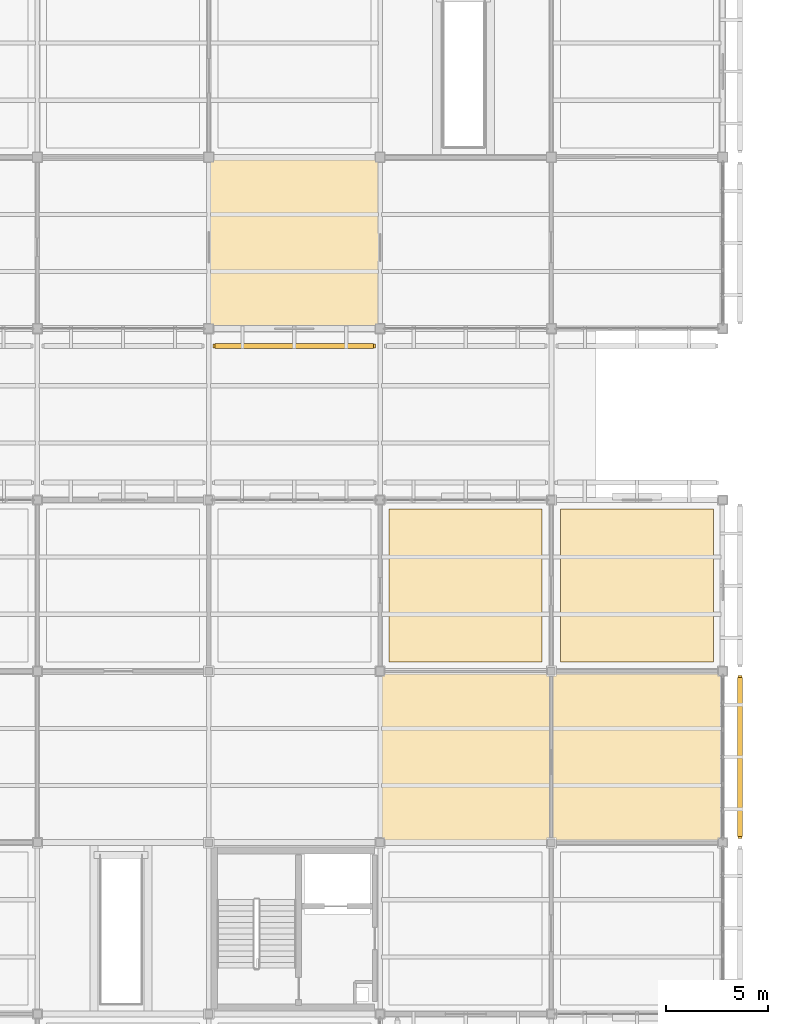
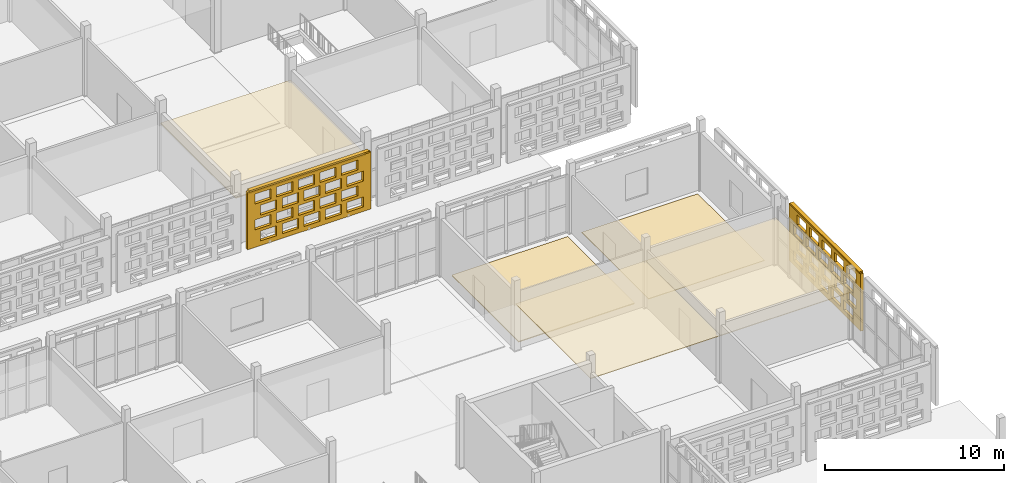
# One storey, part 192 of 203: 7 coverings, 2 shading devices, 40 openings.
"""IFC4 building model written with IfcOpenShell, lengths in metres."""

from ifc_helpers import new_model, si_unit, direction, frame, frame_2d, origin, origin_2d, place, context, subcontext, project, spatial, rectangle, extrude, material, layer, layer_set, type_object, element, save


model = new_model("IFC4")

# Units and contexts
model_context = context("Model", 3, precision=1e-05, world=origin(), true_north=direction((0.0, 1.0)))
body_context = subcontext(model_context, "Body", "Model", "MODEL_VIEW")
ifc_project = project(units=[si_unit("LENGTHUNIT", "METRE"), si_unit("AREAUNIT", "SQUARE_METRE"), si_unit("VOLUMEUNIT", "CUBIC_METRE"), si_unit("PLANEANGLEUNIT", "RADIAN"), si_unit("MASSUNIT", "GRAM", prefix="KILO")], contexts=[model_context])

# Site, building, storey
site_placement = place(None, origin())
site = spatial("IfcSite", under=ifc_project, at=site_placement, CompositionType="ELEMENT")
building_placement = place(site_placement, origin())
building = spatial("IfcBuilding", under=site, at=building_placement, Name="Varnapada Polytechnic", CompositionType="ELEMENT")
storey_placement = place(building_placement, frame((0.0, 0.0, 4.800048828125)))
storey = spatial("IfcBuildingStorey", under=building, at=storey_placement, Name="L01", CompositionType="ELEMENT", Elevation=4.800048828125)

# Coverings
ifc_material_1 = material(Name="Anti-Static Raised Laboratory Flooring")
ifc_layer_1 = layer(ifc_material_1, 0.06005859375)
ifc_layer_set_1 = layer_set([ifc_layer_1], Name="Anti-Static Raised Laboratory Flooring")
covering_type_1 = type_object("IfcCoveringType", Name="Floor Finish FLR-02", PredefinedType="FLOORING", material=ifc_layer_set_1)
covering_1_placement = place(storey_placement, frame((163.800048828125, 46.199951171875, 0.0), z_axis=(0.0, 0.0, 1.0), x_axis=(1.0, 0.0, 0.0)))
element("IfcCovering", 1, at=covering_1_placement, inside=storey, type_object=covering_type_1, Name="L01 floor finish panel (20,6)", PredefinedType="FLOORING", context=body_context, shape_type="SweptSolid", body=[
    extrude(rectangle(XDim=7.5, YDim=7.5, at=origin_2d()), origin(), (0.0, 0.0, 1.0), 0.06005859375),
])
ifc_material_2 = material(Name="Acoustic Rubber Seminar Flooring")
ifc_layer_2 = layer(ifc_material_2, 0.0400390625)
ifc_layer_set_2 = layer_set([ifc_layer_2], Name="Acoustic Rubber Seminar Flooring")
covering_type_2 = type_object("IfcCoveringType", Name="Floor Finish FLR-06", PredefinedType="FLOORING", material=ifc_layer_set_2)
covering_2_placement = place(storey_placement, frame((172.199951171875, 46.199951171875, 0.0), z_axis=(0.0, 0.0, 1.0), x_axis=(1.0, 0.0, 0.0)))
element("IfcCovering", 2, at=covering_2_placement, inside=storey, type_object=covering_type_2, Name="L01 floor finish panel (21,6)", PredefinedType="FLOORING", context=body_context, shape_type="SweptSolid", body=[
    extrude(rectangle(XDim=7.5, YDim=7.5, at=origin_2d()), origin(), (0.0, 0.0, 1.0), 0.0400390625),
])
ifc_material_3 = material(Name="Mineral Fibre Acoustic Ceiling Tile")
ifc_layer_3 = layer(ifc_material_3, 0.0400390625)
ifc_layer_set_3 = layer_set([ifc_layer_3], Name="Mineral Fibre Acoustic Ceiling Tile")
covering_type_3 = type_object("IfcCoveringType", Name="Suspended Ceiling CLG-01", PredefinedType="CEILING", material=ifc_layer_set_3)
covering_3_placement = place(storey_placement, frame((163.800048828125, 37.800048828125, 3.030029296875), z_axis=(0.0, 0.0, 1.0), x_axis=(1.0, 0.0, 0.0)))
element("IfcCovering", 3, at=covering_3_placement, inside=storey, type_object=covering_type_3, Name="L01 suspended acoustic ceiling (20,5)", PredefinedType="CEILING", context=body_context, shape_type="SweptSolid", body=[
    extrude(rectangle(XDim=8.419921875, YDim=8.419921875, at=origin_2d()), origin(), (0.0, 0.0, 1.0), 0.0400390625),
])
ifc_material_4 = material(Name="Micro-Perforated Gypsum Acoustic Ceiling")
ifc_layer_4 = layer(ifc_material_4, 0.044921875)
ifc_layer_set_4 = layer_set([ifc_layer_4], Name="Micro-Perforated Gypsum Acoustic Ceiling")
covering_type_4 = type_object("IfcCoveringType", Name="Suspended Ceiling CLG-04", PredefinedType="CEILING", material=ifc_layer_set_4)
covering_4_placement = place(storey_placement, frame((172.199951171875, 37.800048828125, 3.027587890625), z_axis=(0.0, 0.0, 1.0), x_axis=(1.0, 0.0, 0.0)))
element("IfcCovering", 4, at=covering_4_placement, inside=storey, type_object=covering_type_4, Name="L01 suspended acoustic ceiling (21,5)", PredefinedType="CEILING", context=body_context, shape_type="SweptSolid", body=[
    extrude(rectangle(XDim=8.419921875, YDim=8.419921875, at=origin_2d()), origin(), (0.0, 0.0, 1.0), 0.044921875),
])
ifc_material_5 = material(Name="Deep Acoustic Auditorium Cloud Baffle")
ifc_layer_5 = layer(ifc_material_5, 0.06494140625)
ifc_layer_set_5 = layer_set([ifc_layer_5], Name="Deep Acoustic Auditorium Cloud Baffle")
covering_type_5 = type_object("IfcCoveringType", Name="Suspended Ceiling CLG-07", PredefinedType="CEILING", material=ifc_layer_set_5)
covering_5_placement = place(storey_placement, frame((155.39990234375, 63.0, 3.017578125), z_axis=(0.0, 0.0, 1.0), x_axis=(1.0, 0.0, 0.0)))
element("IfcCovering", 5, at=covering_5_placement, inside=storey, type_object=covering_type_5, Name="L01 suspended acoustic ceiling (19,8)", PredefinedType="CEILING", context=body_context, shape_type="SweptSolid", body=[
    extrude(rectangle(XDim=8.419921875, YDim=8.419921875, at=origin_2d()), origin(), (0.0, 0.0, 1.0), 0.06494140625),
])

# Covering, openings
ifc_material_6 = material(Name="Earth-toned architectural terracotta screen block", Category="masonry")
ifc_layer_6 = layer(ifc_material_6, 0.1201171875)
ifc_layer_set_6 = layer_set([ifc_layer_6], Name="Earth-toned architectural terracotta screen block")
covering_type_6 = type_object("IfcCoveringType", Name="Terracotta Screen Cladding CLD-01", PredefinedType="CLADDING", material=ifc_layer_set_6)
covering_6_placement = place(storey_placement, frame((159.3798828125, 57.949951171875, 0.0), z_axis=(0.0, 0.0, 1.0), x_axis=(-1.0, 0.0, 0.0)))
covering_6 = element("IfcCovering", 6, at=covering_6_placement, inside=storey, type_object=covering_type_6, Name="L01 perforated terracotta block screen (128)", PredefinedType="CLADDING", context=body_context, shape_type="SweptSolid", body=[
    extrude(rectangle(XDim=7.9599609375, YDim=0.179931640625, at=frame_2d((3.97998046875, 0.0))), origin(), (0.0, 0.0, 1.0), 3.919921875),
])
opening_1_placement = place(covering_6_placement, frame((0.47998046875, 0.0, 0.313720703125)))
element("IfcOpeningElement", 7, at=opening_1_placement, cuts=covering_6, Name="Screen perforation TBS-L01-127.1", PredefinedType="OPENING", context=body_context, shape_type="SweptSolid", body=[
    extrude(rectangle(XDim=1.0400390625, YDim=0.679931640625, at=frame_2d((0.52001953125, 0.33984375))), frame((0.0, 0.099853515625, 0.0), z_axis=(0.0, -1.0, 0.0), x_axis=(1.0, 0.0, 0.0)), (0.0, 0.0, 1.0), 0.199951171875),
])
opening_2_placement = place(covering_6_placement, frame((1.8798828125, 0.0, 0.313720703125)))
element("IfcOpeningElement", 8, at=opening_2_placement, cuts=covering_6, Name="Screen perforation TBS-L01-127.2", PredefinedType="OPENING", context=body_context, shape_type="SweptSolid", body=[
    extrude(rectangle(XDim=1.0400390625, YDim=0.679931640625, at=frame_2d((0.52001953125, 0.33984375))), frame((0.0, 0.099853515625, 0.0), z_axis=(0.0, -1.0, 0.0), x_axis=(1.0, 0.0, 0.0)), (0.0, 0.0, 1.0), 0.199951171875),
])
opening_3_placement = place(covering_6_placement, frame((3.280029296875, 0.0, 0.313720703125)))
element("IfcOpeningElement", 9, at=opening_3_placement, cuts=covering_6, Name="Screen perforation TBS-L01-127.3", PredefinedType="OPENING", context=body_context, shape_type="SweptSolid", body=[
    extrude(rectangle(XDim=1.0400390625, YDim=0.679931640625, at=frame_2d((0.52001953125, 0.33984375))), frame((0.0, 0.099853515625, 0.0), z_axis=(0.0, -1.0, 0.0), x_axis=(1.0, 0.0, 0.0)), (0.0, 0.0, 1.0), 0.199951171875),
])
opening_4_placement = place(covering_6_placement, frame((4.679931640625, 0.0, 0.313720703125)))
element("IfcOpeningElement", 10, at=opening_4_placement, cuts=covering_6, Name="Screen perforation TBS-L01-127.4", PredefinedType="OPENING", context=body_context, shape_type="SweptSolid", body=[
    extrude(rectangle(XDim=1.0400390625, YDim=0.679931640625, at=frame_2d((0.52001953125, 0.33984375))), frame((0.0, 0.099853515625, 0.0), z_axis=(0.0, -1.0, 0.0), x_axis=(1.0, 0.0, 0.0)), (0.0, 0.0, 1.0), 0.199951171875),
])
opening_5_placement = place(covering_6_placement, frame((6.080078125, 0.0, 0.313720703125)))
element("IfcOpeningElement", 11, at=opening_5_placement, cuts=covering_6, Name="Screen perforation TBS-L01-127.5", PredefinedType="OPENING", context=body_context, shape_type="SweptSolid", body=[
    extrude(rectangle(XDim=1.0400390625, YDim=0.679931640625, at=frame_2d((0.52001953125, 0.33984375))), frame((0.0, 0.099853515625, 0.0), z_axis=(0.0, -1.0, 0.0), x_axis=(1.0, 0.0, 0.0)), (0.0, 0.0, 1.0), 0.199951171875),
])
opening_6_placement = place(covering_6_placement, frame((0.840087890625, 0.0, 1.195556640625)))
element("IfcOpeningElement", 12, at=opening_6_placement, cuts=covering_6, Name="Screen perforation TBS-L01-127.6", PredefinedType="OPENING", context=body_context, shape_type="SweptSolid", body=[
    extrude(rectangle(XDim=1.0400390625, YDim=0.679931640625, at=frame_2d((0.52001953125, 0.33984375))), frame((0.0, 0.099853515625, 0.0), z_axis=(0.0, -1.0, 0.0), x_axis=(1.0, 0.0, 0.0)), (0.0, 0.0, 1.0), 0.199951171875),
])
opening_7_placement = place(covering_6_placement, frame((2.239990234375, 0.0, 1.195556640625)))
element("IfcOpeningElement", 13, at=opening_7_placement, cuts=covering_6, Name="Screen perforation TBS-L01-127.7", PredefinedType="OPENING", context=body_context, shape_type="SweptSolid", body=[
    extrude(rectangle(XDim=1.0400390625, YDim=0.679931640625, at=frame_2d((0.52001953125, 0.33984375))), frame((0.0, 0.099853515625, 0.0), z_axis=(0.0, -1.0, 0.0), x_axis=(1.0, 0.0, 0.0)), (0.0, 0.0, 1.0), 0.199951171875),
])
opening_8_placement = place(covering_6_placement, frame((3.639892578125, 0.0, 1.195556640625)))
element("IfcOpeningElement", 14, at=opening_8_placement, cuts=covering_6, Name="Screen perforation TBS-L01-127.8", PredefinedType="OPENING", context=body_context, shape_type="SweptSolid", body=[
    extrude(rectangle(XDim=1.0400390625, YDim=0.679931640625, at=frame_2d((0.52001953125, 0.33984375))), frame((0.0, 0.099853515625, 0.0), z_axis=(0.0, -1.0, 0.0), x_axis=(1.0, 0.0, 0.0)), (0.0, 0.0, 1.0), 0.199951171875),
])
opening_9_placement = place(covering_6_placement, frame((5.0400390625, 0.0, 1.195556640625)))
element("IfcOpeningElement", 15, at=opening_9_placement, cuts=covering_6, Name="Screen perforation TBS-L01-127.9", PredefinedType="OPENING", context=body_context, shape_type="SweptSolid", body=[
    extrude(rectangle(XDim=1.0400390625, YDim=0.679931640625, at=frame_2d((0.52001953125, 0.33984375))), frame((0.0, 0.099853515625, 0.0), z_axis=(0.0, -1.0, 0.0), x_axis=(1.0, 0.0, 0.0)), (0.0, 0.0, 1.0), 0.199951171875),
])
opening_10_placement = place(covering_6_placement, frame((6.43994140625, 0.0, 1.195556640625)))
element("IfcOpeningElement", 16, at=opening_10_placement, cuts=covering_6, Name="Screen perforation TBS-L01-127.10", PredefinedType="OPENING", context=body_context, shape_type="SweptSolid", body=[
    extrude(rectangle(XDim=1.0400390625, YDim=0.679931640625, at=frame_2d((0.52001953125, 0.33984375))), frame((0.0, 0.099853515625, 0.0), z_axis=(0.0, -1.0, 0.0), x_axis=(1.0, 0.0, 0.0)), (0.0, 0.0, 1.0), 0.199951171875),
])
opening_11_placement = place(covering_6_placement, frame((0.47998046875, 0.0, 2.07763671875)))
element("IfcOpeningElement", 17, at=opening_11_placement, cuts=covering_6, Name="Screen perforation TBS-L01-127.11", PredefinedType="OPENING", context=body_context, shape_type="SweptSolid", body=[
    extrude(rectangle(XDim=1.0400390625, YDim=0.679931640625, at=frame_2d((0.52001953125, 0.33984375))), frame((0.0, 0.099853515625, 0.0), z_axis=(0.0, -1.0, 0.0), x_axis=(1.0, 0.0, 0.0)), (0.0, 0.0, 1.0), 0.199951171875),
])
opening_12_placement = place(covering_6_placement, frame((1.8798828125, 0.0, 2.07763671875)))
element("IfcOpeningElement", 18, at=opening_12_placement, cuts=covering_6, Name="Screen perforation TBS-L01-127.12", PredefinedType="OPENING", context=body_context, shape_type="SweptSolid", body=[
    extrude(rectangle(XDim=1.0400390625, YDim=0.679931640625, at=frame_2d((0.52001953125, 0.33984375))), frame((0.0, 0.099853515625, 0.0), z_axis=(0.0, -1.0, 0.0), x_axis=(1.0, 0.0, 0.0)), (0.0, 0.0, 1.0), 0.199951171875),
])
opening_13_placement = place(covering_6_placement, frame((3.280029296875, 0.0, 2.07763671875)))
element("IfcOpeningElement", 19, at=opening_13_placement, cuts=covering_6, Name="Screen perforation TBS-L01-127.13", PredefinedType="OPENING", context=body_context, shape_type="SweptSolid", body=[
    extrude(rectangle(XDim=1.0400390625, YDim=0.679931640625, at=frame_2d((0.52001953125, 0.33984375))), frame((0.0, 0.099853515625, 0.0), z_axis=(0.0, -1.0, 0.0), x_axis=(1.0, 0.0, 0.0)), (0.0, 0.0, 1.0), 0.199951171875),
])
opening_14_placement = place(covering_6_placement, frame((4.679931640625, 0.0, 2.07763671875)))
element("IfcOpeningElement", 20, at=opening_14_placement, cuts=covering_6, Name="Screen perforation TBS-L01-127.14", PredefinedType="OPENING", context=body_context, shape_type="SweptSolid", body=[
    extrude(rectangle(XDim=1.0400390625, YDim=0.679931640625, at=frame_2d((0.52001953125, 0.33984375))), frame((0.0, 0.099853515625, 0.0), z_axis=(0.0, -1.0, 0.0), x_axis=(1.0, 0.0, 0.0)), (0.0, 0.0, 1.0), 0.199951171875),
])
opening_15_placement = place(covering_6_placement, frame((6.080078125, 0.0, 2.07763671875)))
element("IfcOpeningElement", 21, at=opening_15_placement, cuts=covering_6, Name="Screen perforation TBS-L01-127.15", PredefinedType="OPENING", context=body_context, shape_type="SweptSolid", body=[
    extrude(rectangle(XDim=1.0400390625, YDim=0.679931640625, at=frame_2d((0.52001953125, 0.33984375))), frame((0.0, 0.099853515625, 0.0), z_axis=(0.0, -1.0, 0.0), x_axis=(1.0, 0.0, 0.0)), (0.0, 0.0, 1.0), 0.199951171875),
])
opening_16_placement = place(covering_6_placement, frame((0.840087890625, 0.0, 2.959716796875)))
element("IfcOpeningElement", 22, at=opening_16_placement, cuts=covering_6, Name="Screen perforation TBS-L01-127.16", PredefinedType="OPENING", context=body_context, shape_type="SweptSolid", body=[
    extrude(rectangle(XDim=1.0400390625, YDim=0.679931640625, at=frame_2d((0.52001953125, 0.33984375))), frame((0.0, 0.099853515625, 0.0), z_axis=(0.0, -1.0, 0.0), x_axis=(1.0, 0.0, 0.0)), (0.0, 0.0, 1.0), 0.199951171875),
])
opening_17_placement = place(covering_6_placement, frame((2.239990234375, 0.0, 2.959716796875)))
element("IfcOpeningElement", 23, at=opening_17_placement, cuts=covering_6, Name="Screen perforation TBS-L01-127.17", PredefinedType="OPENING", context=body_context, shape_type="SweptSolid", body=[
    extrude(rectangle(XDim=1.0400390625, YDim=0.679931640625, at=frame_2d((0.52001953125, 0.33984375))), frame((0.0, 0.099853515625, 0.0), z_axis=(0.0, -1.0, 0.0), x_axis=(1.0, 0.0, 0.0)), (0.0, 0.0, 1.0), 0.199951171875),
])
opening_18_placement = place(covering_6_placement, frame((3.639892578125, 0.0, 2.959716796875)))
element("IfcOpeningElement", 24, at=opening_18_placement, cuts=covering_6, Name="Screen perforation TBS-L01-127.18", PredefinedType="OPENING", context=body_context, shape_type="SweptSolid", body=[
    extrude(rectangle(XDim=1.0400390625, YDim=0.679931640625, at=frame_2d((0.52001953125, 0.33984375))), frame((0.0, 0.099853515625, 0.0), z_axis=(0.0, -1.0, 0.0), x_axis=(1.0, 0.0, 0.0)), (0.0, 0.0, 1.0), 0.199951171875),
])
opening_19_placement = place(covering_6_placement, frame((5.0400390625, 0.0, 2.959716796875)))
element("IfcOpeningElement", 25, at=opening_19_placement, cuts=covering_6, Name="Screen perforation TBS-L01-127.19", PredefinedType="OPENING", context=body_context, shape_type="SweptSolid", body=[
    extrude(rectangle(XDim=1.0400390625, YDim=0.679931640625, at=frame_2d((0.52001953125, 0.33984375))), frame((0.0, 0.099853515625, 0.0), z_axis=(0.0, -1.0, 0.0), x_axis=(1.0, 0.0, 0.0)), (0.0, 0.0, 1.0), 0.199951171875),
])
opening_20_placement = place(covering_6_placement, frame((6.43994140625, 0.0, 2.959716796875)))
element("IfcOpeningElement", 26, at=opening_20_placement, cuts=covering_6, Name="Screen perforation TBS-L01-127.20", PredefinedType="OPENING", context=body_context, shape_type="SweptSolid", body=[
    extrude(rectangle(XDim=1.0400390625, YDim=0.679931640625, at=frame_2d((0.52001953125, 0.33984375))), frame((0.0, 0.099853515625, 0.0), z_axis=(0.0, -1.0, 0.0), x_axis=(1.0, 0.0, 0.0)), (0.0, 0.0, 1.0), 0.199951171875),
])

covering_7_placement = place(storey_placement, frame((177.25, 41.800048828125, 0.0), z_axis=(0.0, 0.0, 1.0), x_axis=(0.0, -1.0, 0.0)))
covering_7 = element("IfcCovering", 27, at=covering_7_placement, inside=storey, type_object=covering_type_6, Name="L01 perforated terracotta block screen (141)", PredefinedType="CLADDING", context=body_context, shape_type="SweptSolid", body=[
    extrude(rectangle(XDim=8.0, YDim=0.179931640625, at=frame_2d((4.0, 0.0))), origin(), (0.0, 0.0, 1.0), 3.919921875),
])
opening_21_placement = place(covering_7_placement, frame((0.5, 0.0, 0.313720703125)))
element("IfcOpeningElement", 28, at=opening_21_placement, cuts=covering_7, Name="Screen perforation TBS-L01-140.1", PredefinedType="OPENING", context=body_context, shape_type="SweptSolid", body=[
    extrude(rectangle(XDim=1.0400390625, YDim=0.679931640625, at=frame_2d((0.52001953125, 0.33984375))), frame((0.0, 0.099853515625, 0.0), z_axis=(0.0, -1.0, 0.0), x_axis=(1.0, 0.0, 0.0)), (0.0, 0.0, 1.0), 0.199951171875),
])
opening_22_placement = place(covering_7_placement, frame((1.89990234375, 0.0, 0.313720703125)))
element("IfcOpeningElement", 29, at=opening_22_placement, cuts=covering_7, Name="Screen perforation TBS-L01-140.2", PredefinedType="OPENING", context=body_context, shape_type="SweptSolid", body=[
    extrude(rectangle(XDim=1.0400390625, YDim=0.679931640625, at=frame_2d((0.52001953125, 0.33984375))), frame((0.0, 0.099853515625, 0.0), z_axis=(0.0, -1.0, 0.0), x_axis=(1.0, 0.0, 0.0)), (0.0, 0.0, 1.0), 0.199951171875),
])
opening_23_placement = place(covering_7_placement, frame((3.300048828125, 0.0, 0.313720703125)))
element("IfcOpeningElement", 30, at=opening_23_placement, cuts=covering_7, Name="Screen perforation TBS-L01-140.3", PredefinedType="OPENING", context=body_context, shape_type="SweptSolid", body=[
    extrude(rectangle(XDim=1.0400390625, YDim=0.679931640625, at=frame_2d((0.52001953125, 0.33984375))), frame((0.0, 0.099853515625, 0.0), z_axis=(0.0, -1.0, 0.0), x_axis=(1.0, 0.0, 0.0)), (0.0, 0.0, 1.0), 0.199951171875),
])
opening_24_placement = place(covering_7_placement, frame((4.699951171875, 0.0, 0.313720703125)))
element("IfcOpeningElement", 31, at=opening_24_placement, cuts=covering_7, Name="Screen perforation TBS-L01-140.4", PredefinedType="OPENING", context=body_context, shape_type="SweptSolid", body=[
    extrude(rectangle(XDim=1.0400390625, YDim=0.679931640625, at=frame_2d((0.52001953125, 0.33984375))), frame((0.0, 0.099853515625, 0.0), z_axis=(0.0, -1.0, 0.0), x_axis=(1.0, 0.0, 0.0)), (0.0, 0.0, 1.0), 0.199951171875),
])
opening_25_placement = place(covering_7_placement, frame((6.10009765625, 0.0, 0.313720703125)))
element("IfcOpeningElement", 32, at=opening_25_placement, cuts=covering_7, Name="Screen perforation TBS-L01-140.5", PredefinedType="OPENING", context=body_context, shape_type="SweptSolid", body=[
    extrude(rectangle(XDim=1.0400390625, YDim=0.679931640625, at=frame_2d((0.52001953125, 0.33984375))), frame((0.0, 0.099853515625, 0.0), z_axis=(0.0, -1.0, 0.0), x_axis=(1.0, 0.0, 0.0)), (0.0, 0.0, 1.0), 0.199951171875),
])
opening_26_placement = place(covering_7_placement, frame((0.860107421875, 0.0, 1.195556640625)))
element("IfcOpeningElement", 33, at=opening_26_placement, cuts=covering_7, Name="Screen perforation TBS-L01-140.6", PredefinedType="OPENING", context=body_context, shape_type="SweptSolid", body=[
    extrude(rectangle(XDim=1.0400390625, YDim=0.679931640625, at=frame_2d((0.52001953125, 0.33984375))), frame((0.0, 0.099853515625, 0.0), z_axis=(0.0, -1.0, 0.0), x_axis=(1.0, 0.0, 0.0)), (0.0, 0.0, 1.0), 0.199951171875),
])
opening_27_placement = place(covering_7_placement, frame((2.260009765625, 0.0, 1.195556640625)))
element("IfcOpeningElement", 34, at=opening_27_placement, cuts=covering_7, Name="Screen perforation TBS-L01-140.7", PredefinedType="OPENING", context=body_context, shape_type="SweptSolid", body=[
    extrude(rectangle(XDim=1.0400390625, YDim=0.679931640625, at=frame_2d((0.52001953125, 0.33984375))), frame((0.0, 0.099853515625, 0.0), z_axis=(0.0, -1.0, 0.0), x_axis=(1.0, 0.0, 0.0)), (0.0, 0.0, 1.0), 0.199951171875),
])
opening_28_placement = place(covering_7_placement, frame((3.659912109375, 0.0, 1.195556640625)))
element("IfcOpeningElement", 35, at=opening_28_placement, cuts=covering_7, Name="Screen perforation TBS-L01-140.8", PredefinedType="OPENING", context=body_context, shape_type="SweptSolid", body=[
    extrude(rectangle(XDim=1.0400390625, YDim=0.679931640625, at=frame_2d((0.52001953125, 0.33984375))), frame((0.0, 0.099853515625, 0.0), z_axis=(0.0, -1.0, 0.0), x_axis=(1.0, 0.0, 0.0)), (0.0, 0.0, 1.0), 0.199951171875),
])
opening_29_placement = place(covering_7_placement, frame((5.06005859375, 0.0, 1.195556640625)))
element("IfcOpeningElement", 36, at=opening_29_placement, cuts=covering_7, Name="Screen perforation TBS-L01-140.9", PredefinedType="OPENING", context=body_context, shape_type="SweptSolid", body=[
    extrude(rectangle(XDim=1.0400390625, YDim=0.679931640625, at=frame_2d((0.52001953125, 0.33984375))), frame((0.0, 0.099853515625, 0.0), z_axis=(0.0, -1.0, 0.0), x_axis=(1.0, 0.0, 0.0)), (0.0, 0.0, 1.0), 0.199951171875),
])
opening_30_placement = place(covering_7_placement, frame((6.4599609375, 0.0, 1.195556640625)))
element("IfcOpeningElement", 37, at=opening_30_placement, cuts=covering_7, Name="Screen perforation TBS-L01-140.10", PredefinedType="OPENING", context=body_context, shape_type="SweptSolid", body=[
    extrude(rectangle(XDim=1.0400390625, YDim=0.679931640625, at=frame_2d((0.52001953125, 0.33984375))), frame((0.0, 0.099853515625, 0.0), z_axis=(0.0, -1.0, 0.0), x_axis=(1.0, 0.0, 0.0)), (0.0, 0.0, 1.0), 0.199951171875),
])
opening_31_placement = place(covering_7_placement, frame((0.5, 0.0, 2.07763671875)))
element("IfcOpeningElement", 38, at=opening_31_placement, cuts=covering_7, Name="Screen perforation TBS-L01-140.11", PredefinedType="OPENING", context=body_context, shape_type="SweptSolid", body=[
    extrude(rectangle(XDim=1.0400390625, YDim=0.679931640625, at=frame_2d((0.52001953125, 0.33984375))), frame((0.0, 0.099853515625, 0.0), z_axis=(0.0, -1.0, 0.0), x_axis=(1.0, 0.0, 0.0)), (0.0, 0.0, 1.0), 0.199951171875),
])
opening_32_placement = place(covering_7_placement, frame((1.89990234375, 0.0, 2.07763671875)))
element("IfcOpeningElement", 39, at=opening_32_placement, cuts=covering_7, Name="Screen perforation TBS-L01-140.12", PredefinedType="OPENING", context=body_context, shape_type="SweptSolid", body=[
    extrude(rectangle(XDim=1.0400390625, YDim=0.679931640625, at=frame_2d((0.52001953125, 0.33984375))), frame((0.0, 0.099853515625, 0.0), z_axis=(0.0, -1.0, 0.0), x_axis=(1.0, 0.0, 0.0)), (0.0, 0.0, 1.0), 0.199951171875),
])
opening_33_placement = place(covering_7_placement, frame((3.300048828125, 0.0, 2.07763671875)))
element("IfcOpeningElement", 40, at=opening_33_placement, cuts=covering_7, Name="Screen perforation TBS-L01-140.13", PredefinedType="OPENING", context=body_context, shape_type="SweptSolid", body=[
    extrude(rectangle(XDim=1.0400390625, YDim=0.679931640625, at=frame_2d((0.52001953125, 0.33984375))), frame((0.0, 0.099853515625, 0.0), z_axis=(0.0, -1.0, 0.0), x_axis=(1.0, 0.0, 0.0)), (0.0, 0.0, 1.0), 0.199951171875),
])
opening_34_placement = place(covering_7_placement, frame((4.699951171875, 0.0, 2.07763671875)))
element("IfcOpeningElement", 41, at=opening_34_placement, cuts=covering_7, Name="Screen perforation TBS-L01-140.14", PredefinedType="OPENING", context=body_context, shape_type="SweptSolid", body=[
    extrude(rectangle(XDim=1.0400390625, YDim=0.679931640625, at=frame_2d((0.52001953125, 0.33984375))), frame((0.0, 0.099853515625, 0.0), z_axis=(0.0, -1.0, 0.0), x_axis=(1.0, 0.0, 0.0)), (0.0, 0.0, 1.0), 0.199951171875),
])
opening_35_placement = place(covering_7_placement, frame((6.10009765625, 0.0, 2.07763671875)))
element("IfcOpeningElement", 42, at=opening_35_placement, cuts=covering_7, Name="Screen perforation TBS-L01-140.15", PredefinedType="OPENING", context=body_context, shape_type="SweptSolid", body=[
    extrude(rectangle(XDim=1.0400390625, YDim=0.679931640625, at=frame_2d((0.52001953125, 0.33984375))), frame((0.0, 0.099853515625, 0.0), z_axis=(0.0, -1.0, 0.0), x_axis=(1.0, 0.0, 0.0)), (0.0, 0.0, 1.0), 0.199951171875),
])
opening_36_placement = place(covering_7_placement, frame((0.860107421875, 0.0, 2.959716796875)))
element("IfcOpeningElement", 43, at=opening_36_placement, cuts=covering_7, Name="Screen perforation TBS-L01-140.16", PredefinedType="OPENING", context=body_context, shape_type="SweptSolid", body=[
    extrude(rectangle(XDim=1.0400390625, YDim=0.679931640625, at=frame_2d((0.52001953125, 0.33984375))), frame((0.0, 0.099853515625, 0.0), z_axis=(0.0, -1.0, 0.0), x_axis=(1.0, 0.0, 0.0)), (0.0, 0.0, 1.0), 0.199951171875),
])
opening_37_placement = place(covering_7_placement, frame((2.260009765625, 0.0, 2.959716796875)))
element("IfcOpeningElement", 44, at=opening_37_placement, cuts=covering_7, Name="Screen perforation TBS-L01-140.17", PredefinedType="OPENING", context=body_context, shape_type="SweptSolid", body=[
    extrude(rectangle(XDim=1.0400390625, YDim=0.679931640625, at=frame_2d((0.52001953125, 0.33984375))), frame((0.0, 0.099853515625, 0.0), z_axis=(0.0, -1.0, 0.0), x_axis=(1.0, 0.0, 0.0)), (0.0, 0.0, 1.0), 0.199951171875),
])
opening_38_placement = place(covering_7_placement, frame((3.659912109375, 0.0, 2.959716796875)))
element("IfcOpeningElement", 45, at=opening_38_placement, cuts=covering_7, Name="Screen perforation TBS-L01-140.18", PredefinedType="OPENING", context=body_context, shape_type="SweptSolid", body=[
    extrude(rectangle(XDim=1.0400390625, YDim=0.679931640625, at=frame_2d((0.52001953125, 0.33984375))), frame((0.0, 0.099853515625, 0.0), z_axis=(0.0, -1.0, 0.0), x_axis=(1.0, 0.0, 0.0)), (0.0, 0.0, 1.0), 0.199951171875),
])
opening_39_placement = place(covering_7_placement, frame((5.06005859375, 0.0, 2.959716796875)))
element("IfcOpeningElement", 46, at=opening_39_placement, cuts=covering_7, Name="Screen perforation TBS-L01-140.19", PredefinedType="OPENING", context=body_context, shape_type="SweptSolid", body=[
    extrude(rectangle(XDim=1.0400390625, YDim=0.679931640625, at=frame_2d((0.52001953125, 0.33984375))), frame((0.0, 0.099853515625, 0.0), z_axis=(0.0, -1.0, 0.0), x_axis=(1.0, 0.0, 0.0)), (0.0, 0.0, 1.0), 0.199951171875),
])
opening_40_placement = place(covering_7_placement, frame((6.4599609375, 0.0, 2.959716796875)))
element("IfcOpeningElement", 47, at=opening_40_placement, cuts=covering_7, Name="Screen perforation TBS-L01-140.20", PredefinedType="OPENING", context=body_context, shape_type="SweptSolid", body=[
    extrude(rectangle(XDim=1.0400390625, YDim=0.679931640625, at=frame_2d((0.52001953125, 0.33984375))), frame((0.0, 0.099853515625, 0.0), z_axis=(0.0, -1.0, 0.0), x_axis=(1.0, 0.0, 0.0)), (0.0, 0.0, 1.0), 0.199951171875),
])

# Shading devices
ifc_layer_7 = layer(ifc_material_6, 0.179931640625)
ifc_layer_set_7 = layer_set([ifc_layer_7], Name="Earth-toned architectural terracotta screen block")
shading_device_type = type_object("IfcShadingDeviceType", Name="Terracotta Screen SCR-02", PredefinedType="USERDEFINED", material=ifc_layer_set_7)
shading_device_1_placement = place(storey_placement, frame((155.39990234375, 57.949951171875, 3.909912109375), z_axis=(0.0, 0.0, 1.0), x_axis=(-1.0, 0.0, 0.0)))
element("IfcShadingDevice", 48, at=shading_device_1_placement, inside=storey, type_object=shading_device_type, Name="L01 perforated terracotta screen hood 206", ObjectType="SCREEN", PredefinedType="USERDEFINED", context=body_context, shape_type="SweptSolid", body=[
    extrude(rectangle(XDim=7.760009765625, YDim=0.239990234375, at=origin_2d()), origin(), (0.0, 0.0, 1.0), 0.10009765625),
])
shading_device_2_placement = place(storey_placement, frame((177.25, 37.800048828125, 3.909912109375), z_axis=(0.0, 0.0, 1.0), x_axis=(0.0, -1.0, 0.0)))
element("IfcShadingDevice", 49, at=shading_device_2_placement, inside=storey, type_object=shading_device_type, Name="L01 perforated terracotta screen hood 219", ObjectType="SCREEN", PredefinedType="USERDEFINED", context=body_context, shape_type="SweptSolid", body=[
    extrude(rectangle(XDim=7.800048828125, YDim=0.239990234375, at=origin_2d()), origin(), (0.0, 0.0, 1.0), 0.10009765625),
])

save(model, "model.ifc")
